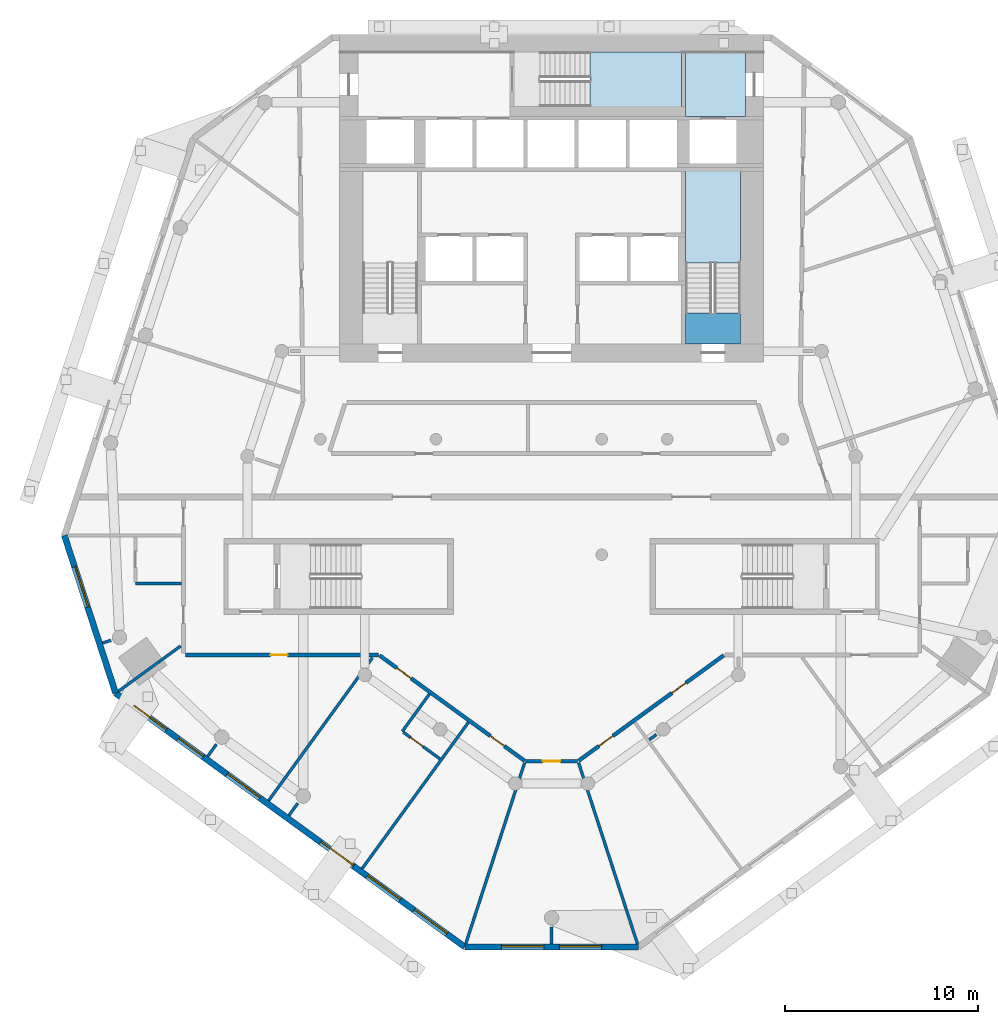
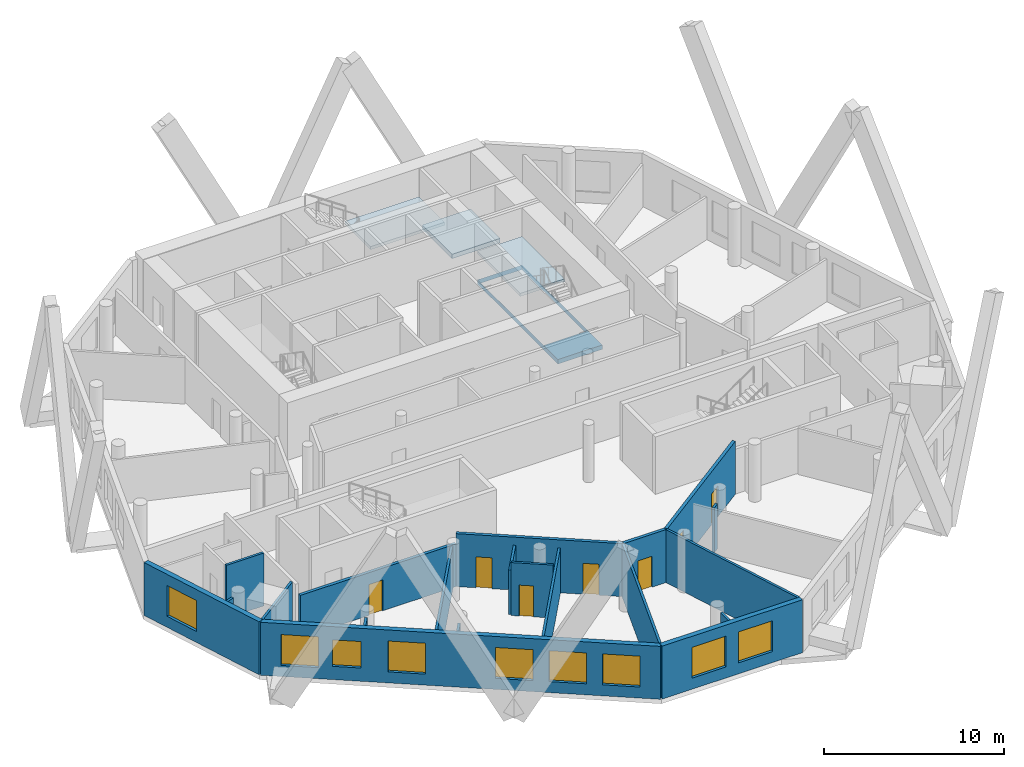
# One storey, part 3 of 9: 20 walls, 9 windows, 7 doors, 4 slabs, 16 openings, 2 elements without a shape of their own.
"""IFC4 building model written with IfcOpenShell, lengths in metres."""

from ifc_helpers import new_model, si_unit, direction, frame, frame_2d, origin, place, context, subcontext, project, spatial, polyline, rectangle, outline, extrude, material, layer, layer_set, type_object, element, fill, aggregate, save


model = new_model("IFC4")

# Units and contexts
model_context = context("Model", 3, precision=1e-05, world=origin(), true_north=direction((0.0, 1.0)))
body_context = subcontext(model_context, "Body", "Model", "MODEL_VIEW")
ifc_project = project(units=[si_unit("LENGTHUNIT", "METRE"), si_unit("AREAUNIT", "SQUARE_METRE"), si_unit("VOLUMEUNIT", "CUBIC_METRE"), si_unit("PLANEANGLEUNIT", "RADIAN"), si_unit("MASSUNIT", "GRAM", prefix="KILO")], contexts=[model_context])

# Site, building, storey
site_placement = place(None, origin())
site = spatial("IfcSite", under=ifc_project, at=site_placement, CompositionType="ELEMENT")
building_placement = place(site_placement, origin())
building = spatial("IfcBuilding", under=site, at=building_placement, Name="White Candle Pilgrim Tower", CompositionType="ELEMENT")
storey_placement = place(building_placement, frame((0.0, 0.0, 148.60009765625)))
storey = spatial("IfcBuildingStorey", under=building, at=storey_placement, Name="L33", CompositionType="ELEMENT", Elevation=148.60009765625)

# Slabs
ifc_material_1 = material(Name="Concrete C40/50", Category="concrete")
ifc_layer_1 = layer(ifc_material_1, 0.300048828125)
ifc_layer_set_1 = layer_set([ifc_layer_1], Name="Core floor slab 300 mm Concrete C40/50")
slab_type_1 = type_object("IfcSlabType", Name="Core floor slab 300 mm Concrete C40/50", PredefinedType="FLOOR", material=ifc_layer_set_1)
slab_1_placement = place(storey_placement, frame((0.0, 0.0, -0.300048828125)))
element("IfcSlab", 1, at=slab_1_placement, inside=storey, type_object=slab_type_1, Name="CF-L33-06", PredefinedType="FLOOR", context=body_context, shape_type="SweptSolid", body=[
    extrude(outline(polyline([(80.050048828125, 87.050048828125), (80.050048828125, 83.75), (76.949951171875, 83.75), (76.949951171875, 84.25), (76.949951171875, 87.050048828125), (80.050048828125, 87.050048828125)])), origin(), (0.0, 0.0, 1.0), 0.300048828125),
])
slab_2_placement = place(storey_placement, frame((0.0, 0.0, -0.300048828125)))
element("IfcSlab", 2, at=slab_2_placement, inside=storey, type_object=slab_type_1, Name="CF-L33-07", PredefinedType="FLOOR", context=body_context, shape_type="SweptSolid", body=[
    extrude(outline(polyline([(76.949951171875, 71.949951171875), (76.949951171875, 75.0), (76.949951171875, 75.199951171875), (76.949951171875, 77.5), (76.949951171875, 77.699951171875), (76.949951171875, 80.89990234375), (79.800048828125, 80.89990234375), (79.800048828125, 71.949951171875), (76.949951171875, 71.949951171875)]), holes=[polyline([(76.951904296875, 73.552001953125), (79.798095703125, 73.552001953125), (79.798095703125, 80.89794921875), (76.951904296875, 80.89794921875), (76.951904296875, 73.552001953125)])]), origin(), (0.0, 0.0, 1.0), 0.300048828125),
])

# Stair, slab
stair_type_1 = type_object("IfcStairType", Name="Exit stair 2 flight width 1350 mm", PredefinedType="HALF_TURN_STAIR", material=ifc_material_1)
stair_1_placement = place(storey_placement, origin())
stair_1 = element("IfcStair", 3, at=stair_1_placement, inside=storey, type_object=stair_type_1, Name="L33 stair 2", PredefinedType="NOTDEFINED")
ifc_layer_2 = layer(ifc_material_1, 0.199951171875)
ifc_layer_set_2 = layer_set([ifc_layer_2], Name="Stair landing Concrete C40/50")
slab_type_2 = type_object("IfcSlabType", Name="Stair landing Concrete C40/50", PredefinedType="LANDING", material=ifc_layer_set_2)
slab_3_placement = place(storey_placement, frame((0.0, 0.0, 1.75)))
slab_3 = element("IfcSlab", 4, at=slab_3_placement, type_object=slab_type_2, Name="ST2 landing 1", PredefinedType="LANDING", context=body_context, shape_type="SweptSolid", body=[
    extrude(outline(polyline([(79.802001953125, 76.14794921875), (76.947998046875, 76.14794921875), (76.947998046875, 80.902099609375), (79.802001953125, 80.902099609375), (79.802001953125, 76.14794921875)])), origin(), (0.0, 0.0, 1.0), 0.199951171875),
])
aggregate(stair_1, [slab_3])

stair_type_2 = type_object("IfcStairType", Name="Exit stair 3 flight width 1350 mm", PredefinedType="HALF_TURN_STAIR", material=ifc_material_1)
stair_2_placement = place(storey_placement, origin())
stair_2 = element("IfcStair", 5, at=stair_2_placement, inside=storey, type_object=stair_type_2, Name="L33 stair 3", PredefinedType="NOTDEFINED")
slab_4_placement = place(storey_placement, frame((0.0, 0.0, 1.75)))
slab_4 = element("IfcSlab", 6, at=slab_4_placement, type_object=slab_type_2, Name="ST3 landing 1", PredefinedType="LANDING", context=body_context, shape_type="SweptSolid", body=[
    extrude(outline(polyline([(71.998046875, 84.248046875), (71.998046875, 87.10205078125), (76.751953125, 87.10205078125), (76.751953125, 84.248046875), (71.998046875, 84.248046875)])), origin(), (0.0, 0.0, 1.0), 0.199951171875),
])
aggregate(stair_2, [slab_4])

# Wall, openings, doors
ifc_material_2 = material(Name="Gypsum board on steel studs", Category="steel")
ifc_layer_3 = layer(ifc_material_2, 0.199951171875)
ifc_layer_set_3 = layer_set([ifc_layer_3], Name="Corridor wall 200 mm EI 45")
wall_type_1 = type_object("IfcWallType", Name="Corridor wall 200 mm EI 45", PredefinedType="PARTITIONING", material=ifc_layer_set_3)
wall_1_placement = place(storey_placement, frame((78.93017578125, 55.781005859375, 0.0), z_axis=(0.0, 0.0, 1.0), x_axis=(-0.809011649892, -0.587792608272, 0.0)))
wall_1 = element("IfcWall", 7, at=wall_1_placement, inside=storey, type_object=wall_type_1, Name="WL-L33-P008", PredefinedType="PARTITIONING", context=body_context, shape_type="SweptSolid", body=[
    extrude(rectangle(XDim=9.306884765625, YDim=0.199951171875, at=frame_2d((4.6533203125, 0.0))), origin(), (0.0, 0.0, 1.0), 3.599853515625),
])
opening_1_placement = place(wall_1_placement, frame((7.10693359375, 0.0, 0.0)))
opening_1 = element("IfcOpeningElement", 8, at=opening_1_placement, cuts=wall_1, Name="Opening T10-108", PredefinedType="OPENING", context=body_context, shape_type="SweptSolid", body=[
    extrude(rectangle(XDim=0.89990234375, YDim=2.10009765625, at=frame_2d((0.449951171875, 1.050048828125))), frame((0.0, 0.10986328125, 0.0), z_axis=(0.0, -1.0, 0.0), x_axis=(1.0, 0.0, 0.0)), (0.0, 0.0, 1.0), 0.219970703125),
])
opening_2_placement = place(wall_1_placement, frame((2.421142578125, 0.0, 0.0)))
opening_2 = element("IfcOpeningElement", 9, at=opening_2_placement, cuts=wall_1, Name="Opening T10-109", PredefinedType="OPENING", context=body_context, shape_type="SweptSolid", body=[
    extrude(rectangle(XDim=0.89990234375, YDim=2.10009765625, at=frame_2d((0.449951171875, 1.050048828125))), frame((0.0, 0.10986328125, 0.0), z_axis=(0.0, -1.0, 0.0), x_axis=(1.0, 0.0, 0.0)), (0.0, 0.0, 1.0), 0.219970703125),
])
ifc_material_3 = material(Name="Steel door leaf", Category="steel")
door_type_1 = type_object("IfcDoorType", Name="Fire door 900 x 2100 EI 30", OperationType="NOTDEFINED", PredefinedType="DOOR", material=ifc_material_3)
door_1_placement = place(opening_1_placement, origin())
door_1 = element("IfcDoor", 10, at=door_1_placement, inside=storey, type_object=door_type_1, Name="Door T10-108", OperationType="SINGLE_SWING_RIGHT", OverallHeight=2.10009765625, OverallWidth=0.89990234375, PredefinedType="DOOR", context=body_context, shape_type="SweptSolid", body=[
    extrude(rectangle(XDim=0.89990234375, YDim=2.10009765625, at=frame_2d((0.449951171875, 1.050048828125))), frame((0.0, 0.02490234375, 0.0), z_axis=(0.0, -1.0, 0.0), x_axis=(1.0, 0.0, 0.0)), (0.0, 0.0, 1.0), 0.050048828125),
])
fill(opening_1, door_1)
door_2_placement = place(opening_2_placement, origin())
door_2 = element("IfcDoor", 11, at=door_2_placement, inside=storey, type_object=door_type_1, Name="Door T10-109", OperationType="SINGLE_SWING_LEFT", OverallHeight=2.10009765625, OverallWidth=0.89990234375, PredefinedType="DOOR", context=body_context, shape_type="SweptSolid", body=[
    extrude(rectangle(XDim=0.89990234375, YDim=2.10009765625, at=frame_2d((0.449951171875, 1.050048828125))), frame((0.0, 0.02490234375, 0.0), z_axis=(0.0, -1.0, 0.0), x_axis=(1.0, 0.0, 0.0)), (0.0, 0.0, 1.0), 0.050048828125),
])
fill(opening_2, door_2)

# Wall, opening, door
wall_2_placement = place(storey_placement, frame((71.342041015625, 50.29150390625, 0.0), z_axis=(0.0, 0.0, 1.0), x_axis=(-1.0, 0.0, 0.0)))
wall_2 = element("IfcWall", 12, at=wall_2_placement, inside=storey, type_object=wall_type_1, Name="WL-L33-P009", PredefinedType="PARTITIONING", context=body_context, shape_type="SweptSolid", body=[
    extrude(rectangle(XDim=2.68408203125, YDim=0.199951171875, at=frame_2d((1.342041015625, 0.0))), origin(), (0.0, 0.0, 1.0), 3.599853515625),
])
opening_3_placement = place(wall_2_placement, frame((0.89208984375, 0.0, 0.0)))
opening_3 = element("IfcOpeningElement", 13, at=opening_3_placement, cuts=wall_2, Name="Opening T10-107", PredefinedType="OPENING", context=body_context, shape_type="SweptSolid", body=[
    extrude(rectangle(XDim=0.89990234375, YDim=2.10009765625, at=frame_2d((0.449951171875, 1.050048828125))), frame((0.0, 0.10986328125, 0.0), z_axis=(0.0, -1.0, 0.0), x_axis=(1.0, 0.0, 0.0)), (0.0, 0.0, 1.0), 0.219970703125),
])
door_3_placement = place(opening_3_placement, origin())
door_3 = element("IfcDoor", 14, at=door_3_placement, inside=storey, type_object=door_type_1, Name="Door T10-107", OperationType="SINGLE_SWING_LEFT", OverallHeight=2.10009765625, OverallWidth=0.89990234375, PredefinedType="DOOR", context=body_context, shape_type="SweptSolid", body=[
    extrude(rectangle(XDim=0.89990234375, YDim=2.10009765625, at=frame_2d((0.449951171875, 1.050048828125))), frame((0.0, 0.02490234375, 0.0), z_axis=(0.0, -1.0, 0.0), x_axis=(1.0, 0.0, 0.0)), (0.0, 0.0, 1.0), 0.050048828125),
])
fill(opening_3, door_3)

# Wall, openings, doors
wall_3_placement = place(storey_placement, frame((68.59912109375, 50.310546875, 0.0), z_axis=(0.0, 0.0, 1.0), x_axis=(-0.809011649892, 0.587792608272, 0.0)))
wall_3 = element("IfcWall", 15, at=wall_3_placement, inside=storey, type_object=wall_type_1, Name="WL-L33-P010", PredefinedType="PARTITIONING", context=body_context, shape_type="SweptSolid", body=[
    extrude(rectangle(XDim=9.306884765625, YDim=0.199951171875, at=frame_2d((4.6533203125, 0.0))), origin(), (0.0, 0.0, 1.0), 3.599853515625),
])
opening_4_placement = place(wall_3_placement, frame((7.285400390625, 0.0, 0.0)))
opening_4 = element("IfcOpeningElement", 16, at=opening_4_placement, cuts=wall_3, Name="Opening T10-105", PredefinedType="OPENING", context=body_context, shape_type="SweptSolid", body=[
    extrude(rectangle(XDim=0.89990234375, YDim=2.10009765625, at=frame_2d((0.449951171875, 1.050048828125))), frame((0.0, 0.10986328125, 0.0), z_axis=(0.0, -1.0, 0.0), x_axis=(1.0, 0.0, 0.0)), (0.0, 0.0, 1.0), 0.219970703125),
])
opening_5_placement = place(wall_3_placement, frame((1.299560546875, 0.0, 0.0)))
opening_5 = element("IfcOpeningElement", 17, at=opening_5_placement, cuts=wall_3, Name="Opening T10-106", PredefinedType="OPENING", context=body_context, shape_type="SweptSolid", body=[
    extrude(rectangle(XDim=0.89990234375, YDim=2.10009765625, at=frame_2d((0.449951171875, 1.050048828125))), frame((0.0, 0.10986328125, 0.0), z_axis=(0.0, -1.0, 0.0), x_axis=(1.0, 0.0, 0.0)), (0.0, 0.0, 1.0), 0.219970703125),
])
door_4_placement = place(opening_4_placement, origin())
door_4 = element("IfcDoor", 18, at=door_4_placement, inside=storey, type_object=door_type_1, Name="Door T10-105", OperationType="SINGLE_SWING_LEFT", OverallHeight=2.10009765625, OverallWidth=0.89990234375, PredefinedType="DOOR", context=body_context, shape_type="SweptSolid", body=[
    extrude(rectangle(XDim=0.89990234375, YDim=2.10009765625, at=frame_2d((0.449951171875, 1.050048828125))), frame((0.0, 0.02490234375, 0.0), z_axis=(0.0, -1.0, 0.0), x_axis=(1.0, 0.0, 0.0)), (0.0, 0.0, 1.0), 0.050048828125),
])
fill(opening_4, door_4)
door_5_placement = place(opening_5_placement, origin())
door_5 = element("IfcDoor", 19, at=door_5_placement, inside=storey, type_object=door_type_1, Name="Door T10-106", OperationType="SINGLE_SWING_RIGHT", OverallHeight=2.10009765625, OverallWidth=0.89990234375, PredefinedType="DOOR", context=body_context, shape_type="SweptSolid", body=[
    extrude(rectangle(XDim=0.89990234375, YDim=2.10009765625, at=frame_2d((0.449951171875, 1.050048828125))), frame((0.0, 0.02490234375, 0.0), z_axis=(0.0, -1.0, 0.0), x_axis=(1.0, 0.0, 0.0)), (0.0, 0.0, 1.0), 0.050048828125),
])
fill(opening_5, door_5)

# Wall, opening, door
wall_4_placement = place(storey_placement, frame((61.010986328125, 55.800048828125, 0.0), z_axis=(0.0, 0.0, 1.0), x_axis=(-1.0, 0.0, 0.0)))
wall_4 = element("IfcWall", 20, at=wall_4_placement, inside=storey, type_object=wall_type_1, Name="WL-L33-P011", PredefinedType="PARTITIONING", context=body_context, shape_type="SweptSolid", body=[
    extrude(rectangle(XDim=10.010986328125, YDim=0.199951171875, at=frame_2d((5.00537109375, 0.0))), origin(), (0.0, 0.0, 1.0), 2.89990234375),
])
opening_6_placement = place(wall_4_placement, frame((4.70849609375, 0.0, 0.0)))
opening_6 = element("IfcOpeningElement", 21, at=opening_6_placement, cuts=wall_4, Name="Opening T10-103", PredefinedType="OPENING", context=body_context, shape_type="SweptSolid", body=[
    extrude(rectangle(XDim=0.89990234375, YDim=2.10009765625, at=frame_2d((0.449951171875, 1.050048828125))), frame((0.0, 0.10986328125, 0.0), z_axis=(0.0, -1.0, 0.0), x_axis=(1.0, 0.0, 0.0)), (0.0, 0.0, 1.0), 0.219970703125),
])
door_6_placement = place(opening_6_placement, origin())
door_6 = element("IfcDoor", 22, at=door_6_placement, inside=storey, type_object=door_type_1, Name="Door T10-103", OperationType="SINGLE_SWING_LEFT", OverallHeight=2.10009765625, OverallWidth=0.89990234375, PredefinedType="DOOR", context=body_context, shape_type="SweptSolid", body=[
    extrude(rectangle(XDim=0.89990234375, YDim=2.10009765625, at=frame_2d((0.449951171875, 1.050048828125))), frame((0.0, 0.02490234375, 0.0), z_axis=(0.0, -1.0, 0.0), x_axis=(1.0, 0.0, 0.0)), (0.0, 0.0, 1.0), 0.050048828125),
])
fill(opening_6, door_6)

# Wall, opening, window
ifc_material_4 = material(Name="Precast concrete C40/50", Category="concrete")
ifc_layer_4 = layer(ifc_material_4, 0.320068359375)
ifc_layer_set_4 = layer_set([ifc_layer_4], Name="Facade wall EW1 precast concrete C40/50 pier wall with timber-lined reveals")
wall_type_2 = type_object("IfcWallType", Name="Facade wall EW1 precast concrete C40/50 pier wall with timber-lined reveals", PredefinedType="SOLIDWALL", material=ifc_layer_set_4)
wall_5_placement = place(storey_placement, frame((44.716064453125, 62.002197265625, 0.0), z_axis=(0.0, 0.0, 1.0), x_axis=(0.309030288319, -0.951052196728, 0.0)))
wall_5 = element("IfcWall", 23, at=wall_5_placement, inside=storey, type_object=wall_type_2, Name="Facade wall L33 W chamfer", PredefinedType="SOLIDWALL", context=body_context, shape_type="SweptSolid", body=[
    extrude(rectangle(XDim=8.609619140625, YDim=0.320068359375, at=frame_2d((4.3046875, 0.0))), origin(), (0.0, 0.0, 1.0), 3.599853515625),
])
opening_7_placement = place(wall_5_placement, frame((1.704833984375, 0.0, 0.75)))
opening_7 = element("IfcOpeningElement", 24, at=opening_7_placement, cuts=wall_5, Name="Opening W4", PredefinedType="OPENING", context=body_context, shape_type="SweptSolid", body=[
    extrude(rectangle(XDim=2.199951171875, YDim=2.10009765625, at=frame_2d((1.10009765625, 1.050048828125))), frame((0.0, 0.169921875, 0.0), z_axis=(0.0, -1.0, 0.0), x_axis=(1.0, 0.0, 0.0)), (0.0, 0.0, 1.0), 0.340087890625),
])
ifc_material_5 = material(Name="Timber frame with triple glazing", Category="wood")
window_type_1 = type_object("IfcWindowType", Name="Window W4 2200x2100 timber frame triple glazing", PartitioningType="SINGLE_PANEL", PredefinedType="WINDOW", material=ifc_material_5)
window_1_placement = place(opening_7_placement, origin())
window_1 = element("IfcWindow", 25, at=window_1_placement, inside=storey, type_object=window_type_1, Name="Window W4 L33 W chamfer 1", OverallHeight=2.10009765625, OverallWidth=2.199951171875, PartitioningType="SINGLE_PANEL", PredefinedType="WINDOW", context=body_context, shape_type="SweptSolid", body=[
    extrude(rectangle(XDim=2.199951171875, YDim=2.10009765625, at=frame_2d((1.10009765625, 1.050048828125))), frame((0.0, 0.070068359375, 0.0), z_axis=(0.0, -1.0, 0.0), x_axis=(1.0, 0.0, 0.0)), (0.0, 0.0, 1.0), 0.06005859375),
])
fill(opening_7, window_1)

# Wall, openings, windows
wall_6_placement = place(storey_placement, frame((47.376708984375, 53.81396484375, 0.0), z_axis=(0.0, 0.0, 1.0), x_axis=(0.809012267685, -0.587791757968, 0.0)))
wall_6 = element("IfcWall", 26, at=wall_6_placement, inside=storey, type_object=wall_type_2, Name="Facade wall L33 SW", PredefinedType="SOLIDWALL", context=body_context, shape_type="SweptSolid", body=[
    extrude(rectangle(XDim=22.393310546875, YDim=0.320068359375, at=frame_2d((11.19677734375, 0.0))), origin(), (0.0, 0.0, 1.0), 3.599853515625),
])
opening_8_placement = place(wall_6_placement, frame((1.146484375, 0.0, 0.75)))
opening_8 = element("IfcOpeningElement", 27, at=opening_8_placement, cuts=wall_6, Name="Opening W3", PredefinedType="OPENING", context=body_context, shape_type="SweptSolid", body=[
    extrude(rectangle(XDim=2.10009765625, YDim=2.10009765625, at=frame_2d((1.050048828125, 1.050048828125))), frame((0.0, 0.169921875, 0.0), z_axis=(0.0, -1.0, 0.0), x_axis=(1.0, 0.0, 0.0)), (0.0, 0.0, 1.0), 0.340087890625),
])
opening_9_placement = place(wall_6_placement, frame((4.012451171875, 0.0, 0.89990234375)))
opening_9 = element("IfcOpeningElement", 28, at=opening_9_placement, cuts=wall_6, Name="Opening W2", PredefinedType="OPENING", context=body_context, shape_type="SweptSolid", body=[
    extrude(rectangle(XDim=1.60009765625, YDim=1.800048828125, at=frame_2d((0.800048828125, 0.89990234375))), frame((0.0, 0.169921875, 0.0), z_axis=(0.0, -1.0, 0.0), x_axis=(1.0, 0.0, 0.0)), (0.0, 0.0, 1.0), 0.340087890625),
])
opening_10_placement = place(wall_6_placement, frame((7.146484375, 0.0, 0.75)))
opening_10 = element("IfcOpeningElement", 29, at=opening_10_placement, cuts=wall_6, Name="Opening W3", PredefinedType="OPENING", context=body_context, shape_type="SweptSolid", body=[
    extrude(rectangle(XDim=2.10009765625, YDim=2.10009765625, at=frame_2d((1.050048828125, 1.050048828125))), frame((0.0, 0.169921875, 0.0), z_axis=(0.0, -1.0, 0.0), x_axis=(1.0, 0.0, 0.0)), (0.0, 0.0, 1.0), 0.340087890625),
])
opening_11_placement = place(wall_6_placement, frame((13.146484375, 0.0, 0.75)))
opening_11 = element("IfcOpeningElement", 30, at=opening_11_placement, cuts=wall_6, Name="Opening W3", PredefinedType="OPENING", context=body_context, shape_type="SweptSolid", body=[
    extrude(rectangle(XDim=2.10009765625, YDim=2.10009765625, at=frame_2d((1.050048828125, 1.050048828125))), frame((0.0, 0.169921875, 0.0), z_axis=(0.0, -1.0, 0.0), x_axis=(1.0, 0.0, 0.0)), (0.0, 0.0, 1.0), 0.340087890625),
])
opening_12_placement = place(wall_6_placement, frame((16.146484375, 0.0, 0.75)))
opening_12 = element("IfcOpeningElement", 31, at=opening_12_placement, cuts=wall_6, Name="Opening W3", PredefinedType="OPENING", context=body_context, shape_type="SweptSolid", body=[
    extrude(rectangle(XDim=2.10009765625, YDim=2.10009765625, at=frame_2d((1.050048828125, 1.050048828125))), frame((0.0, 0.169921875, 0.0), z_axis=(0.0, -1.0, 0.0), x_axis=(1.0, 0.0, 0.0)), (0.0, 0.0, 1.0), 0.340087890625),
])
opening_13_placement = place(wall_6_placement, frame((19.146484375, 0.0, 0.75)))
opening_13 = element("IfcOpeningElement", 32, at=opening_13_placement, cuts=wall_6, Name="Opening W3", PredefinedType="OPENING", context=body_context, shape_type="SweptSolid", body=[
    extrude(rectangle(XDim=2.10009765625, YDim=2.10009765625, at=frame_2d((1.050048828125, 1.050048828125))), frame((0.0, 0.169921875, 0.0), z_axis=(0.0, -1.0, 0.0), x_axis=(1.0, 0.0, 0.0)), (0.0, 0.0, 1.0), 0.340087890625),
])
window_type_2 = type_object("IfcWindowType", Name="Window W2 1600x1800 timber frame triple glazing", PartitioningType="SINGLE_PANEL", PredefinedType="WINDOW", material=ifc_material_5)
window_2_placement = place(opening_9_placement, origin())
window_2 = element("IfcWindow", 33, at=window_2_placement, inside=storey, type_object=window_type_2, Name="Window W2 L33 SW 2", OverallHeight=1.800048828125, OverallWidth=1.60009765625, PartitioningType="SINGLE_PANEL", PredefinedType="WINDOW", context=body_context, shape_type="SweptSolid", body=[
    extrude(rectangle(XDim=1.60009765625, YDim=1.800048828125, at=frame_2d((0.800048828125, 0.89990234375))), frame((0.0, 0.070068359375, 0.0), z_axis=(0.0, -1.0, 0.0), x_axis=(1.0, 0.0, 0.0)), (0.0, 0.0, 1.0), 0.06005859375),
])
fill(opening_9, window_2)
window_type_3 = type_object("IfcWindowType", Name="Window W3 2100x2100 timber frame triple glazing", PartitioningType="SINGLE_PANEL", PredefinedType="WINDOW", material=ifc_material_5)
window_3_placement = place(opening_8_placement, origin())
window_3 = element("IfcWindow", 34, at=window_3_placement, inside=storey, type_object=window_type_3, Name="Window W3 L33 SW 1", OverallHeight=2.10009765625, OverallWidth=2.10009765625, PartitioningType="SINGLE_PANEL", PredefinedType="WINDOW", context=body_context, shape_type="SweptSolid", body=[
    extrude(rectangle(XDim=2.10009765625, YDim=2.10009765625, at=frame_2d((1.050048828125, 1.050048828125))), frame((0.0, 0.070068359375, 0.0), z_axis=(0.0, -1.0, 0.0), x_axis=(1.0, 0.0, 0.0)), (0.0, 0.0, 1.0), 0.06005859375),
])
fill(opening_8, window_3)
window_4_placement = place(opening_10_placement, origin())
window_4 = element("IfcWindow", 35, at=window_4_placement, inside=storey, type_object=window_type_3, Name="Window W3 L33 SW 3", OverallHeight=2.10009765625, OverallWidth=2.10009765625, PartitioningType="SINGLE_PANEL", PredefinedType="WINDOW", context=body_context, shape_type="SweptSolid", body=[
    extrude(rectangle(XDim=2.10009765625, YDim=2.10009765625, at=frame_2d((1.050048828125, 1.050048828125))), frame((0.0, 0.070068359375, 0.0), z_axis=(0.0, -1.0, 0.0), x_axis=(1.0, 0.0, 0.0)), (0.0, 0.0, 1.0), 0.06005859375),
])
fill(opening_10, window_4)
window_5_placement = place(opening_11_placement, origin())
window_5 = element("IfcWindow", 36, at=window_5_placement, inside=storey, type_object=window_type_3, Name="Window W3 L33 SW 5", OverallHeight=2.10009765625, OverallWidth=2.10009765625, PartitioningType="SINGLE_PANEL", PredefinedType="WINDOW", context=body_context, shape_type="SweptSolid", body=[
    extrude(rectangle(XDim=2.10009765625, YDim=2.10009765625, at=frame_2d((1.050048828125, 1.050048828125))), frame((0.0, 0.070068359375, 0.0), z_axis=(0.0, -1.0, 0.0), x_axis=(1.0, 0.0, 0.0)), (0.0, 0.0, 1.0), 0.06005859375),
])
fill(opening_11, window_5)
window_6_placement = place(opening_12_placement, origin())
window_6 = element("IfcWindow", 37, at=window_6_placement, inside=storey, type_object=window_type_3, Name="Window W3 L33 SW 6", OverallHeight=2.10009765625, OverallWidth=2.10009765625, PartitioningType="SINGLE_PANEL", PredefinedType="WINDOW", context=body_context, shape_type="SweptSolid", body=[
    extrude(rectangle(XDim=2.10009765625, YDim=2.10009765625, at=frame_2d((1.050048828125, 1.050048828125))), frame((0.0, 0.070068359375, 0.0), z_axis=(0.0, -1.0, 0.0), x_axis=(1.0, 0.0, 0.0)), (0.0, 0.0, 1.0), 0.06005859375),
])
fill(opening_12, window_6)
window_7_placement = place(opening_13_placement, origin())
window_7 = element("IfcWindow", 38, at=window_7_placement, inside=storey, type_object=window_type_3, Name="Window W3 L33 SW 7", OverallHeight=2.10009765625, OverallWidth=2.10009765625, PartitioningType="SINGLE_PANEL", PredefinedType="WINDOW", context=body_context, shape_type="SweptSolid", body=[
    extrude(rectangle(XDim=2.10009765625, YDim=2.10009765625, at=frame_2d((1.050048828125, 1.050048828125))), frame((0.0, 0.070068359375, 0.0), z_axis=(0.0, -1.0, 0.0), x_axis=(1.0, 0.0, 0.0)), (0.0, 0.0, 1.0), 0.06005859375),
])
fill(opening_13, window_7)

wall_7_placement = place(storey_placement, frame((65.4931640625, 40.6513671875, 0.0), z_axis=(0.0, 0.0, 1.0), x_axis=(1.0, 0.0, 0.0)))
wall_7 = element("IfcWall", 39, at=wall_7_placement, inside=storey, type_object=wall_type_2, Name="Facade wall L33 S chamfer", PredefinedType="SOLIDWALL", context=body_context, shape_type="SweptSolid", body=[
    extrude(rectangle(XDim=9.013671875, YDim=0.320068359375, at=frame_2d((4.5068359375, 0.0))), origin(), (0.0, 0.0, 1.0), 3.599853515625),
])
opening_14_placement = place(wall_7_placement, frame((1.90673828125, 0.0, 0.75)))
opening_14 = element("IfcOpeningElement", 40, at=opening_14_placement, cuts=wall_7, Name="Opening W4", PredefinedType="OPENING", context=body_context, shape_type="SweptSolid", body=[
    extrude(rectangle(XDim=2.199951171875, YDim=2.10009765625, at=frame_2d((1.10009765625, 1.050048828125))), frame((0.0, 0.169921875, 0.0), z_axis=(0.0, -1.0, 0.0), x_axis=(1.0, 0.0, 0.0)), (0.0, 0.0, 1.0), 0.340087890625),
])
opening_15_placement = place(wall_7_placement, frame((4.90673828125, 0.0, 0.75)))
opening_15 = element("IfcOpeningElement", 41, at=opening_15_placement, cuts=wall_7, Name="Opening W4", PredefinedType="OPENING", context=body_context, shape_type="SweptSolid", body=[
    extrude(rectangle(XDim=2.199951171875, YDim=2.10009765625, at=frame_2d((1.10009765625, 1.050048828125))), frame((0.0, 0.169921875, 0.0), z_axis=(0.0, -1.0, 0.0), x_axis=(1.0, 0.0, 0.0)), (0.0, 0.0, 1.0), 0.340087890625),
])
window_8_placement = place(opening_14_placement, origin())
window_8 = element("IfcWindow", 42, at=window_8_placement, inside=storey, type_object=window_type_1, Name="Window W4 L33 S chamfer 1", OverallHeight=2.10009765625, OverallWidth=2.199951171875, PartitioningType="SINGLE_PANEL", PredefinedType="WINDOW", context=body_context, shape_type="SweptSolid", body=[
    extrude(rectangle(XDim=2.199951171875, YDim=2.10009765625, at=frame_2d((1.10009765625, 1.050048828125))), frame((0.0, 0.070068359375, 0.0), z_axis=(0.0, -1.0, 0.0), x_axis=(1.0, 0.0, 0.0)), (0.0, 0.0, 1.0), 0.06005859375),
])
fill(opening_14, window_8)
window_9_placement = place(opening_15_placement, origin())
window_9 = element("IfcWindow", 43, at=window_9_placement, inside=storey, type_object=window_type_1, Name="Window W4 L33 S chamfer 2", OverallHeight=2.10009765625, OverallWidth=2.199951171875, PartitioningType="SINGLE_PANEL", PredefinedType="WINDOW", context=body_context, shape_type="SweptSolid", body=[
    extrude(rectangle(XDim=2.199951171875, YDim=2.10009765625, at=frame_2d((1.10009765625, 1.050048828125))), frame((0.0, 0.070068359375, 0.0), z_axis=(0.0, -1.0, 0.0), x_axis=(1.0, 0.0, 0.0)), (0.0, 0.0, 1.0), 0.06005859375),
])
fill(opening_15, window_9)

# Walls
ifc_layer_5 = layer(ifc_material_2, 0.14990234375)
ifc_layer_set_5 = layer_set([ifc_layer_5], Name="Partition 150 mm EI 60")
wall_type_3 = type_object("IfcWallType", Name="Partition 150 mm EI 60", PredefinedType="PARTITIONING", material=ifc_layer_set_5)
wall_8_placement = place(storey_placement, frame((47.5126953125, 53.91259765625, 0.0), z_axis=(0.0, 0.0, 1.0), x_axis=(0.80899935581, 0.587809528928, 0.0)))
element("IfcWall", 44, at=wall_8_placement, inside=storey, type_object=wall_type_3, Name="WL-L33-P019", PredefinedType="PARTITIONING", context=body_context, shape_type="SweptSolid", body=[
    extrude(rectangle(XDim=4.0087890625, YDim=0.14990234375, at=frame_2d((2.00439453125, 0.0))), origin(), (0.0, 0.0, 1.0), 3.599853515625),
])
for number, where, z_axis, x_axis, name in (
    (45, (65.545166015625, 40.8115234375, 0.0), (0.0, 0.0, 1.0), (0.309015131176, 0.951057121683, 0.0), "WL-L33-P020"),
    (46, (74.454833984375, 40.8115234375, 0.0), (0.0, 0.0, 1.0), (-0.309015131176, 0.951057121683, 0.0), "WL-L33-P021"),
):
    element("IfcWall", number, at=place(storey_placement, frame(where, z_axis=z_axis, x_axis=x_axis)), inside=storey, type_object=wall_type_3, Name=name, PredefinedType="PARTITIONING", context=body_context, shape_type="SweptSolid", body=[
        extrude(rectangle(XDim=9.8828125, YDim=0.14990234375, at=frame_2d((4.94140625, 0.0))), origin(), (0.0, 0.0, 1.0), 3.599853515625),
    ])
wall_9_placement = place(storey_placement, frame((50.800048828125, 59.502197265625, 0.0), z_axis=(0.0, 0.0, 1.0), x_axis=(-1.0, 0.0, 0.0)))
element("IfcWall", 47, at=wall_9_placement, inside=storey, type_object=wall_type_3, Name="WL-L33-P026", PredefinedType="PARTITIONING", context=body_context, shape_type="SweptSolid", body=[
    extrude(rectangle(XDim=2.400146484375, YDim=0.14990234375, at=frame_2d((1.2001953125, 0.0))), origin(), (0.0, 0.0, 1.0), 3.599853515625),
])
wall_10_placement = place(storey_placement, frame((55.3154296875, 48.243896484375, 0.0), z_axis=(0.0, 0.0, 1.0), x_axis=(0.587788197188, 0.809014854775, 0.0)))
element("IfcWall", 48, at=wall_10_placement, inside=storey, type_object=wall_type_3, Name="WL-L33-P028", PredefinedType="PARTITIONING", context=body_context, shape_type="SweptSolid", body=[
    extrude(rectangle(XDim=9.161865234375, YDim=0.14990234375, at=frame_2d((4.5810546875, 0.0))), origin(), (0.0, 0.0, 1.0), 2.89990234375),
])
wall_11_placement = place(storey_placement, frame((60.169677734375, 44.717041015625, 0.0), z_axis=(0.0, 0.0, 1.0), x_axis=(0.587783184234, 0.809018496903, 0.0)))
element("IfcWall", 49, at=wall_11_placement, inside=storey, type_object=wall_type_3, Name="WL-L33-P029", PredefinedType="PARTITIONING", context=body_context, shape_type="SweptSolid", body=[
    extrude(rectangle(XDim=9.380126953125, YDim=0.14990234375, at=frame_2d((4.68994140625, 0.0))), origin(), (0.0, 0.0, 1.0), 3.0498046875),
])
wall_12_placement = place(storey_placement, frame((63.660400390625, 53.775146484375, 0.0), z_axis=(0.0, 0.0, 1.0), x_axis=(-0.587772420479, -0.809026317077, 0.0)))
element("IfcWall", 50, at=wall_12_placement, inside=storey, type_object=wall_type_3, Name="WL-L33-P030", PredefinedType="PARTITIONING", context=body_context, shape_type="SweptSolid", body=[
    extrude(rectangle(XDim=2.39990234375, YDim=0.14990234375, at=frame_2d((1.199951171875, 0.0))), origin(), (0.0, 0.0, 1.0), 3.0498046875),
])

# Wall, opening, door
wall_13_placement = place(storey_placement, frame((64.211669921875, 50.408203125, 0.0), z_axis=(0.0, 0.0, 1.0), x_axis=(-0.809081864303, 0.587695956133, 0.0)))
wall_13 = element("IfcWall", 51, at=wall_13_placement, inside=storey, type_object=wall_type_3, Name="WL-L33-P031", PredefinedType="PARTITIONING", context=body_context, shape_type="SweptSolid", body=[
    extrude(rectangle(XDim=2.35009765625, YDim=0.14990234375, at=frame_2d((1.175048828125, 0.0))), origin(), (0.0, 0.0, 1.0), 3.599853515625),
])
opening_16_placement = place(wall_13_placement, frame((1.10009765625, 0.0, 0.0)))
opening_16 = element("IfcOpeningElement", 52, at=opening_16_placement, cuts=wall_13, Name="Opening T10-104", PredefinedType="OPENING", context=body_context, shape_type="SweptSolid", body=[
    extrude(rectangle(XDim=0.800048828125, YDim=2.10009765625, at=frame_2d((0.39990234375, 1.050048828125))), frame((0.0, 0.0849609375, 0.0), z_axis=(0.0, -1.0, 0.0), x_axis=(1.0, 0.0, 0.0)), (0.0, 0.0, 1.0), 0.169921875),
])
door_type_2 = type_object("IfcDoorType", Name="Fire door 800 x 2100 EI 30", OperationType="NOTDEFINED", PredefinedType="DOOR", material=ifc_material_3)
door_7_placement = place(opening_16_placement, origin())
door_7 = element("IfcDoor", 53, at=door_7_placement, inside=storey, type_object=door_type_2, Name="Door T10-104", OperationType="SINGLE_SWING_RIGHT", OverallHeight=2.10009765625, OverallWidth=0.800048828125, PredefinedType="DOOR", context=body_context, shape_type="SweptSolid", body=[
    extrude(rectangle(XDim=0.800048828125, YDim=2.10009765625, at=frame_2d((0.39990234375, 1.050048828125))), frame((0.0, 0.02490234375, 0.0), z_axis=(0.0, -1.0, 0.0), x_axis=(1.0, 0.0, 0.0)), (0.0, 0.0, 1.0), 0.050048828125),
])
fill(opening_16, door_7)

# Walls
wall_14_placement = place(storey_placement, frame((47.138916015625, 56.56298828125, 0.0), z_axis=(0.0, 0.0, 1.0), x_axis=(-0.951130831717, -0.308788181377, 0.0)))
element("IfcWall", 54, at=wall_14_placement, inside=storey, type_object=wall_type_3, Name="WL-L33-P039", PredefinedType="PARTITIONING", context=body_context, shape_type="SweptSolid", body=[
    extrude(rectangle(XDim=0.46337890625, YDim=0.14990234375, at=frame_2d((0.231689453125, 0.0))), origin(), (0.0, 0.0, 1.0), 3.599853515625),
])
wall_15_placement = place(storey_placement, frame((52.609130859375, 51.16943359375, 0.0), z_axis=(0.0, 0.0, 1.0), x_axis=(-0.587647830105, -0.809116819609, 0.0)))
element("IfcWall", 55, at=wall_15_placement, inside=storey, type_object=wall_type_3, Name="WL-L33-P040", PredefinedType="PARTITIONING", context=body_context, shape_type="SweptSolid", body=[
    extrude(rectangle(XDim=0.776123046875, YDim=0.14990234375, at=frame_2d((0.38818359375, 0.0))), origin(), (0.0, 0.0, 1.0), 3.599853515625),
])
wall_16_placement = place(storey_placement, frame((56.8291015625, 48.109375, 0.0), z_axis=(0.0, 0.0, 1.0), x_axis=(-0.587725491082, -0.809060410064, 0.0)))
element("IfcWall", 56, at=wall_16_placement, inside=storey, type_object=wall_type_3, Name="WL-L33-P041", PredefinedType="PARTITIONING", context=body_context, shape_type="SweptSolid", body=[
    extrude(rectangle(XDim=0.781005859375, YDim=0.14990234375, at=frame_2d((0.390625, 0.0))), origin(), (0.0, 0.0, 1.0), 3.599853515625),
])
wall_17_placement = place(storey_placement, frame((70.002197265625, 41.695068359375, 0.0), z_axis=(0.0, 0.0, 1.0), x_axis=(0.0, -1.0, 0.0)))
element("IfcWall", 57, at=wall_17_placement, inside=storey, type_object=wall_type_3, Name="WL-L33-P042", PredefinedType="PARTITIONING", context=body_context, shape_type="SweptSolid", body=[
    extrude(rectangle(XDim=0.883544921875, YDim=0.14990234375, at=frame_2d((0.44189453125, 0.0))), origin(), (0.0, 0.0, 1.0), 3.599853515625),
])
wall_18_placement = place(storey_placement, frame((75.439208984375, 51.67431640625, 0.0), z_axis=(0.0, 0.0, 1.0), x_axis=(-0.808918948619, -0.587920177035, 0.0)))
element("IfcWall", 58, at=wall_18_placement, inside=storey, type_object=wall_type_3, Name="WL-L33-P045", PredefinedType="PARTITIONING", context=body_context, shape_type="SweptSolid", body=[
    extrude(rectangle(XDim=0.461669921875, YDim=0.14990234375, at=frame_2d((0.23095703125, 0.0))), origin(), (0.0, 0.0, 1.0), 3.0498046875),
])

save(model, "model.ifc")
